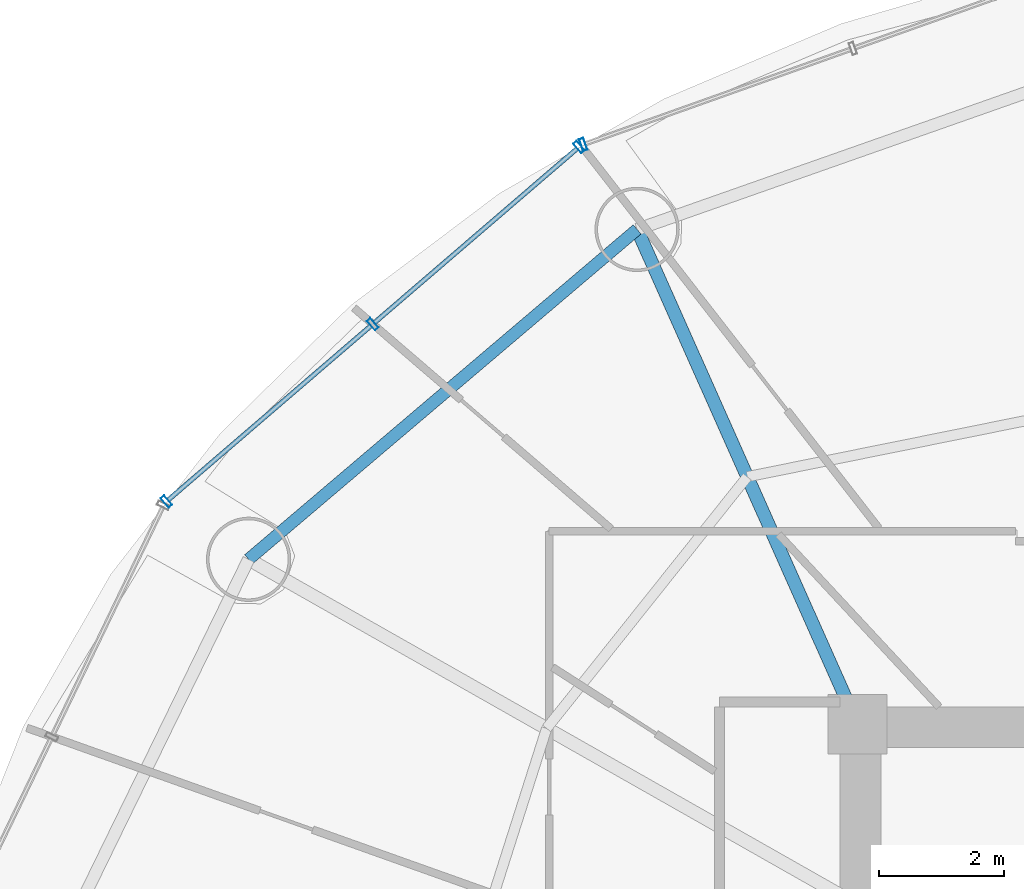
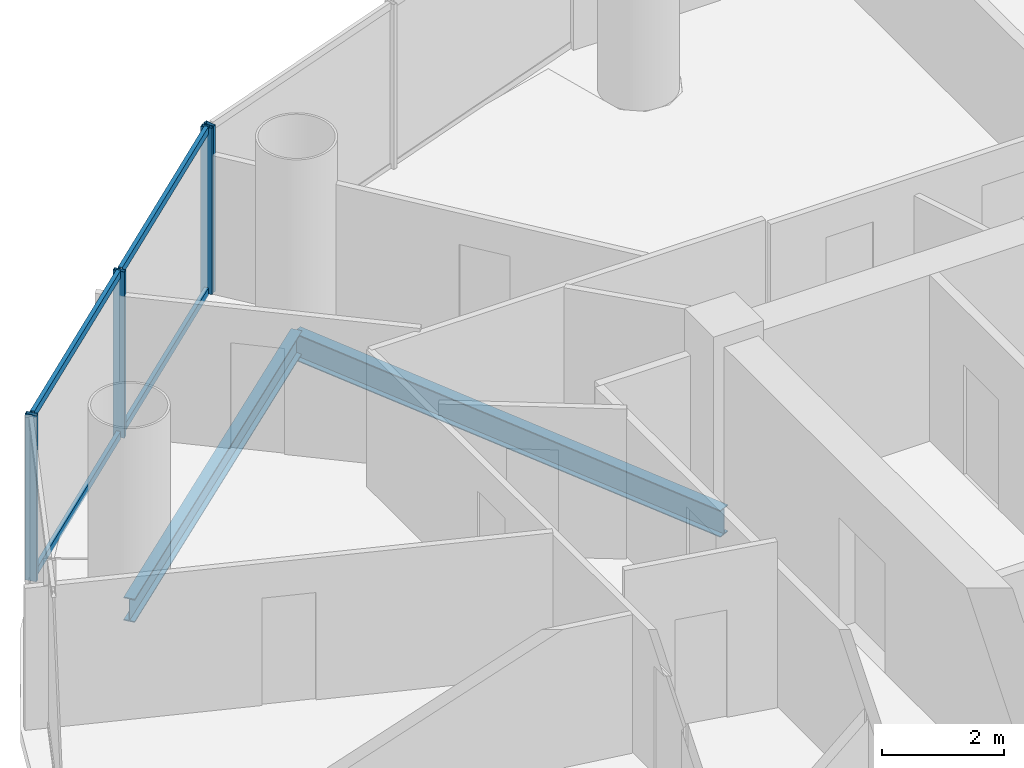
# One storey, part 14 of 27: 8 members, 2 beams, 2 elements without a shape of their own.
"""IFC4 building model written with IfcOpenShell, lengths in metres."""

from ifc_helpers import new_model, si_unit, direction, frame, origin, origin_2d, place, context, subcontext, project, spatial, hollow_rectangle, i_section, extrude, source, transform, mapped, material, material_profile, profile_set, type_object, element, aggregate, save


model = new_model("IFC4")

# Units and contexts
model_context = context("Model", 3, precision=1e-05, world=origin(), true_north=direction((-0.2419218956, 0.970295726276)))
body_context = subcontext(model_context, "Body", "Model", "MODEL_VIEW")
ifc_project = project(units=[si_unit("LENGTHUNIT", "METRE"), si_unit("AREAUNIT", "SQUARE_METRE"), si_unit("VOLUMEUNIT", "CUBIC_METRE"), si_unit("PLANEANGLEUNIT", "RADIAN"), si_unit("MASSUNIT", "GRAM", prefix="KILO")], contexts=[model_context])

# Site, building, storey
site_placement = place(None, origin())
site = spatial("IfcSite", under=ifc_project, at=site_placement, CompositionType="ELEMENT")
building_placement = place(site_placement, origin())
building = spatial("IfcBuilding", under=site, at=building_placement, Name="Cobrevalo Terracotta Tower", CompositionType="ELEMENT")
storey_placement = place(building_placement, frame((0.0, 0.0, 146.199951171875)))
storey = spatial("IfcBuildingStorey", under=building, at=storey_placement, Name="L38", CompositionType="ELEMENT", Elevation=146.199951171875)

# Beams
ifc_material_1 = material(Name="Steel S355", Category="steel")
ifc_material_profile_1 = material_profile(ifc_material_1, i_section(OverallWidth=0.2109375, OverallDepth=0.5390625, WebThickness=0.01171875, FlangeThickness=0.018798828125, at=origin_2d()), Name="W 530x109")
ifc_profile_set_1 = profile_set([ifc_material_profile_1], Name="Steel S355")
beam_type_1 = type_object("IfcBeamType", Name="Structural Beam W 530x109 (Steel S355)", PredefinedType="BEAM", material=ifc_profile_set_1)
beam_1_placement = place(storey_placement, frame((25.471923828125, 42.72265625, -0.53955078125), z_axis=(0.406804395691, -0.913515289224, 0.0), x_axis=(0.913515289224, 0.406804395691, 0.0)))
element("IfcBeam", 1, at=beam_1_placement, inside=storey, type_object=beam_type_1, Name="L38 radial floor girder 06", PredefinedType="BEAM", context=body_context, shape_type="SweptSolid", body=[
    extrude(i_section(OverallWidth=0.2109375, OverallDepth=0.5390625, WebThickness=0.01171875, FlangeThickness=0.018798828125, at=origin_2d()), origin(), (0.0, 0.0, 1.0), 8.672607421875),
])
ifc_material_profile_2 = material_profile(ifc_material_1, i_section(OverallWidth=0.194091796875, OverallDepth=0.468994140625, WebThickness=0.011474609375, FlangeThickness=0.0205078125, at=origin_2d()), Name="W 460x106")
ifc_profile_set_2 = profile_set([ifc_material_profile_2], Name="Steel S355")
beam_type_2 = type_object("IfcBeamType", Name="Structural Spandrel W 460x106 (Steel S355)", PredefinedType="SPANDREL", material=ifc_profile_set_2)
beam_2_placement = place(storey_placement, frame((25.471923828125, 42.72265625, -0.50439453125), z_axis=(-0.762240337798, -0.647294112003, 0.0), x_axis=(0.647294112003, -0.762240337798, 0.0)))
element("IfcBeam", 2, at=beam_2_placement, inside=storey, type_object=beam_type_2, Name="L38 perimeter ring spandrel 06", PredefinedType="SPANDREL", context=body_context, shape_type="SweptSolid", body=[
    extrude(i_section(OverallWidth=0.194091796875, OverallDepth=0.468994140625, WebThickness=0.011474609375, FlangeThickness=0.0205078125, at=origin_2d()), origin(), (0.0, 0.0, 1.0), 8.162353515625),
])

# Curtain wall, member
ifc_material_2 = material(Name="Anodized aluminium", Category="aluminium")
curtain_wall_type = type_object("IfcCurtainWallType", Name="Mid-tower high-wind unitised curtain wall CW-U2", PredefinedType="NOTDEFINED", material=ifc_material_2)
curtain_wall_1_placement = place(storey_placement, origin())
curtain_wall_1 = element("IfcCurtainWall", 3, at=curtain_wall_1_placement, inside=storey, type_object=curtain_wall_type, Name="L38 curtain wall CW-L38-S05", PredefinedType="NOTDEFINED")
ifc_material_profile_3 = material_profile(ifc_material_2, hollow_rectangle(XDim=0.074951171875, YDim=0.199951171875, WallThickness=0.0048828125, at=origin_2d()), Name="CWM 75x200")
ifc_profile_set_3 = profile_set([ifc_material_profile_3], Name="Anodized aluminium")
member_type_1 = type_object("IfcMemberType", Name="Lower/mid tower unitised mullion 75x200", PredefinedType="MULLION", material=ifc_profile_set_3)
shared_shape_1 = source(origin(), body_context, "Body", "SweptSolid", [
    extrude(hollow_rectangle(XDim=0.074951171875, YDim=0.199951171875, WallThickness=0.0048828125, at=origin_2d()), origin(), (0.0, 0.0, 1.0), 3.330078125),
])
member_1_placement = place(storey_placement, frame((24.609619140625, 44.0830078125, 0.0), z_axis=(0.0, 0.0, 1.0), x_axis=(-0.942098428897, -0.335336473217, 0.0)))
member_1 = element("IfcMember", 4, at=member_1_placement, type_object=member_type_1, Name="CW-L38-S05 vertical mullion 03", PredefinedType="MULLION", context=body_context, shape_type="MappedRepresentation", body=[
    mapped(shared_shape_1, transform((0.0, 0.0, 0.0), scale=1.0)),
])
aggregate(curtain_wall_1, [member_1])

# Curtain wall, members
curtain_wall_2_placement = place(storey_placement, origin())
curtain_wall_2 = element("IfcCurtainWall", 5, at=curtain_wall_2_placement, inside=storey, type_object=curtain_wall_type, Name="L38 curtain wall CW-L38-S06", PredefinedType="NOTDEFINED")
member_2_placement = place(storey_placement, frame((24.54150390625, 44.04345703125, 0.0), z_axis=(0.0, 0.0, 1.0), x_axis=(-0.758441546142, -0.65174106905, 0.0)))
member_2 = element("IfcMember", 6, at=member_2_placement, type_object=member_type_1, Name="CW-L38-S06 vertical mullion 01", PredefinedType="MULLION", context=body_context, shape_type="MappedRepresentation", body=[
    mapped(shared_shape_1, transform((0.0, 0.0, 0.0), scale=1.0)),
])
member_3_placement = place(storey_placement, frame((21.237548828125, 41.204345703125, 0.0), z_axis=(0.0, 0.0, 1.0), x_axis=(-0.758441546142, -0.65174106905, 0.0)))
member_3 = element("IfcMember", 7, at=member_3_placement, type_object=member_type_1, Name="CW-L38-S06 vertical mullion 02", PredefinedType="MULLION", context=body_context, shape_type="MappedRepresentation", body=[
    mapped(shared_shape_1, transform((0.0, 0.0, 0.0), scale=1.0)),
])
member_4_placement = place(storey_placement, frame((17.933837890625, 38.365234375, 0.0), z_axis=(0.0, 0.0, 1.0), x_axis=(-0.758441546142, -0.65174106905, 0.0)))
member_4 = element("IfcMember", 8, at=member_4_placement, type_object=member_type_1, Name="CW-L38-S06 vertical mullion 03", PredefinedType="MULLION", context=body_context, shape_type="MappedRepresentation", body=[
    mapped(shared_shape_1, transform((0.0, 0.0, 0.0), scale=1.0)),
])
ifc_material_profile_4 = material_profile(ifc_material_2, hollow_rectangle(XDim=0.074951171875, YDim=0.14990234375, WallThickness=0.00439453125, at=origin_2d()), Name="CWT 75x150")
ifc_profile_set_4 = profile_set([ifc_material_profile_4], Name="Anodized aluminium")
member_type_2 = type_object("IfcMemberType", Name="Tower unitised aluminium transom 75x150", PredefinedType="USERDEFINED", material=ifc_profile_set_4)
shared_shape_2 = source(origin(), body_context, "Body", "SweptSolid", [
    extrude(hollow_rectangle(XDim=0.074951171875, YDim=0.14990234375, WallThickness=0.00439453125, at=origin_2d()), origin(), (0.0, 0.0, 1.0), 4.276123046875),
])
member_5_placement = place(storey_placement, frame((24.51123046875, 44.017578125, 0.050048828125), z_axis=(-0.758417719247, -0.651768795764, 0.0), x_axis=(0.651768795764, -0.758417719247, 0.0)))
member_5 = element("IfcMember", 9, at=member_5_placement, type_object=member_type_2, Name="CW-L38-S06 transom B01-T1", ObjectType="TRANSOM", PredefinedType="USERDEFINED", context=body_context, shape_type="MappedRepresentation", body=[
    mapped(shared_shape_2, transform((0.0, 0.0, 0.0), scale=1.0)),
])
member_6_placement = place(storey_placement, frame((24.51123046875, 44.017578125, 3.280029296875), z_axis=(-0.758417719247, -0.651768795764, 0.0), x_axis=(0.651768795764, -0.758417719247, 0.0)))
member_6 = element("IfcMember", 10, at=member_6_placement, type_object=member_type_2, Name="CW-L38-S06 transom B01-T2", ObjectType="TRANSOM", PredefinedType="USERDEFINED", context=body_context, shape_type="MappedRepresentation", body=[
    mapped(shared_shape_2, transform((0.0, 0.0, 0.0), scale=1.0)),
])
member_7_placement = place(storey_placement, frame((21.207275390625, 41.17822265625, 0.050048828125), z_axis=(-0.758445941187, -0.65173595443, 0.0), x_axis=(0.65173595443, -0.758445941187, 0.0)))
member_7 = element("IfcMember", 11, at=member_7_placement, type_object=member_type_2, Name="CW-L38-S06 transom B02-T1", ObjectType="TRANSOM", PredefinedType="USERDEFINED", context=body_context, shape_type="MappedRepresentation", body=[
    mapped(shared_shape_2, transform((0.0, 0.0, 0.0), scale=1.0)),
])
member_8_placement = place(storey_placement, frame((21.207275390625, 41.17822265625, 3.280029296875), z_axis=(-0.758445941187, -0.65173595443, 0.0), x_axis=(0.65173595443, -0.758445941187, 0.0)))
member_8 = element("IfcMember", 12, at=member_8_placement, type_object=member_type_2, Name="CW-L38-S06 transom B02-T2", ObjectType="TRANSOM", PredefinedType="USERDEFINED", context=body_context, shape_type="MappedRepresentation", body=[
    mapped(shared_shape_2, transform((0.0, 0.0, 0.0), scale=1.0)),
])
aggregate(curtain_wall_2, [member_2, member_3, member_4, member_5, member_6, member_7, member_8])

save(model, "model.ifc")
